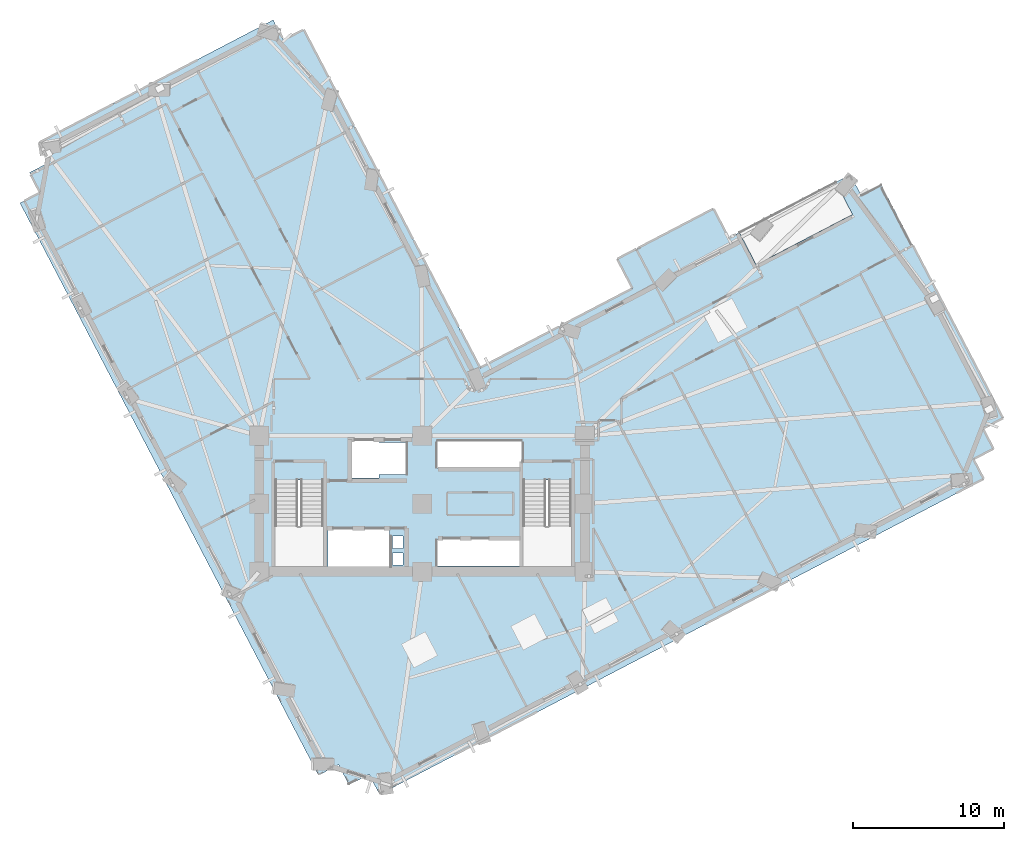
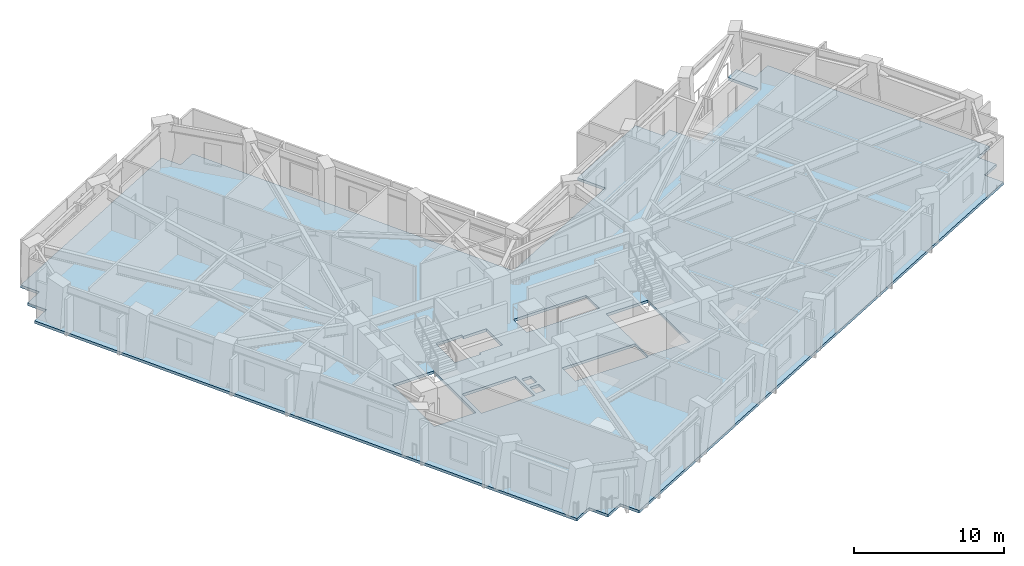
# One storey, part 4 of 16: 1 slab.
"""IFC4 building model written with IfcOpenShell, lengths in metres."""

import ifcopenshell
import ifcopenshell.guid

model = None  # the IFC model being written
_history = None  # IfcOwnerHistory: only IFC2X3 demands one
_inside = {}  # id of a spatial element -> (the spatial element, [elements in it])
_under = {}  # id of a project, library or spatial element -> (it, [spatial elements below it])
_declared = {}  # id of a project -> (the project, [libraries it declares])
_typed = {}  # id of a type object -> (the type object, [elements of that type])
_made_of = {}  # id of a material, layer set ... -> (it, [elements and type objects made of it])


def new_model(schema):
    """Start an empty IFC model of exactly this schema.

    Asked for "IFC4X3", IfcOpenShell would pick the latest addendum, in which some entities
    have other attributes; the version numbers below select the first issue.
    IFC2X3 requires an IfcOwnerHistory on every rooted entity: one is made here for all.
    """
    global model, _history
    if schema == "IFC4X3":
        model = ifcopenshell.file(schema_version=(4, 3, 0, 0))
    else:
        model = ifcopenshell.file(schema=schema)
    _inside.clear()
    _under.clear()
    _declared.clear()
    _typed.clear()
    _made_of.clear()
    _history = None
    if model.schema == "IFC2X3":
        org = make("IfcOrganization", Name="unknown")
        user = make(
            "IfcPersonAndOrganization",
            ThePerson=make("IfcPerson", FamilyName="unknown"),
            TheOrganization=org,
        )
        app = make(
            "IfcApplication",
            ApplicationDeveloper=org,
            Version="unknown",
            ApplicationFullName="unknown",
            ApplicationIdentifier="unknown",
        )
        _history = make(
            "IfcOwnerHistory",
            OwningUser=user,
            OwningApplication=app,
            ChangeAction="ADDED",
            CreationDate=0,
        )
    return model


def make(cls, **values):
    """One entity of the class cls with the attributes given. An attribute that is None is left unset."""
    return model.create_entity(
        cls, **{name: value for name, value in values.items() if value is not None}
    )


def rooted(cls, **values):
    """An entity with a GlobalId (a new one), such as an element, a storey or a relation."""
    return make(cls, GlobalId=ifcopenshell.guid.new(), OwnerHistory=_history, **values)


def si_unit(unit_type, name, prefix=None):
    """IfcSIUnit, for example si_unit("LENGTHUNIT", "METRE", prefix="MILLI")."""
    return make("IfcSIUnit", UnitType=unit_type, Prefix=prefix, Name=name)


def assignment(units):
    """IfcUnitAssignment: the units of a project."""
    return None if units is None else make("IfcUnitAssignment", Units=units)


def point(xyz):
    """IfcCartesianPoint."""
    return None if xyz is None else make("IfcCartesianPoint", Coordinates=xyz)


def direction(xyz):
    """IfcDirection."""
    return None if xyz is None else make("IfcDirection", DirectionRatios=xyz)


def frame(location, z_axis=None, x_axis=None):
    """IfcAxis2Placement3D, a coordinate frame: its origin and axes. An axis left out is left unset."""
    return make(
        "IfcAxis2Placement3D",
        Location=point(location),
        Axis=direction(z_axis),
        RefDirection=direction(x_axis),
    )


def origin():
    """The frame at (0, 0, 0) with its axes left unset."""
    return frame((0.0, 0.0, 0.0))


def place(relative_to, where):
    """IfcLocalPlacement: puts the frame where relative to a parent placement (None: the world)."""
    return make(
        "IfcLocalPlacement", PlacementRelTo=relative_to, RelativePlacement=where
    )


def context(
    kind, dimensions, precision=None, world=None, true_north=None, identifier=None
):
    """IfcGeometricRepresentationContext, for example the 3D "Model" context."""
    return make(
        "IfcGeometricRepresentationContext",
        ContextIdentifier=identifier,
        ContextType=kind,
        CoordinateSpaceDimension=dimensions,
        Precision=precision,
        WorldCoordinateSystem=world,
        TrueNorth=true_north,
    )


def subcontext(parent, identifier, kind, view, scale=None):
    """IfcGeometricRepresentationSubContext, for example "Body" below "Model"."""
    return make(
        "IfcGeometricRepresentationSubContext",
        ContextIdentifier=identifier,
        ContextType=kind,
        ParentContext=parent,
        TargetScale=scale,
        TargetView=view,
    )


def project(units=None, contexts=None):
    """IfcProject with its units and contexts."""
    return rooted(
        "IfcProject",
        Name="project",
        RepresentationContexts=contexts,
        UnitsInContext=assignment(units),
    )


def spatial(cls, under=None, at=None, **own):
    """A site, building, storey or space (cls), placed at a placement, below another one or the project."""
    s = rooted(cls, ObjectPlacement=at, **own)
    if under is not None:
        _under.setdefault(under.id(), (under, []))[1].append(s)
    return s


def polyline(points):
    """IfcPolyline through the points."""
    return make("IfcPolyline", Points=[point(p) for p in points])


def outline(outer, holes=None, kind="AREA"):
    """IfcArbitraryClosedProfileDef: a profile drawn as a closed curve; with holes, ...WithVoids."""
    if holes is None:
        return make("IfcArbitraryClosedProfileDef", ProfileType=kind, OuterCurve=outer)
    return make(
        "IfcArbitraryProfileDefWithVoids",
        ProfileType=kind,
        OuterCurve=outer,
        InnerCurves=holes,
    )


def extrude(swept, where, along, depth):
    """IfcExtrudedAreaSolid: the profile swept, set in the frame where, extruded along a direction by depth."""
    return make(
        "IfcExtrudedAreaSolid",
        SweptArea=swept,
        Position=where,
        ExtrudedDirection=direction(along),
        Depth=depth,
    )


def shape(context_of_items, identifier, shape_type, items):
    """IfcShapeRepresentation: the items that make up one representation, for example the "Body"."""
    return make(
        "IfcShapeRepresentation",
        ContextOfItems=context_of_items,
        RepresentationIdentifier=identifier,
        RepresentationType=shape_type,
        Items=items,
    )


def material(Name=None, Category=None):
    """IfcMaterial."""
    return make("IfcMaterial", Name=Name, Category=Category)


def layer(
    of_material, thickness, ventilated=None, Name=None, Category=None, Priority=None
):
    """IfcMaterialLayer: one layer of a wall or slab, of a material (None: an air gap)."""
    return make(
        "IfcMaterialLayer",
        Material=of_material,
        LayerThickness=thickness,
        IsVentilated=ventilated,
        Name=Name,
        Category=Category,
        Priority=Priority,
    )


def layer_set(layers, Name=None):
    """IfcMaterialLayerSet."""
    return make("IfcMaterialLayerSet", MaterialLayers=layers, LayerSetName=Name)


def made_of(thing, what):
    """Note that an element or type object is made of a material, layer set ...; save() writes the relation."""
    if what is not None:
        _made_of.setdefault(what.id(), (what, []))[1].append(thing)
    return thing


def type_object(cls, material=None, **own):
    """A type object (cls), such as IfcWallType, which elements share."""
    return made_of(rooted(cls, **own), material)


def element(
    cls,
    number,
    at=None,
    inside=None,
    cuts=None,
    type_object=None,
    material=None,
    context=None,
    identifier="Body",
    shape_type=None,
    held_by="IfcProductDefinitionShape",
    body=None,
    shapes=None,
    **own,
):
    """One element of the class cls, such as IfcWall. Its Tag is "e" and its number.

    at: its placement. inside: the storey or other place that contains it. cuts: it is an
    opening in that element (IfcRelVoidsElement). A single representation is given by context,
    identifier, shape_type and body (its items); several are given by shapes. held_by: the class
    of the entity that holds the representations. save() writes the other relations.
    """
    e = rooted(cls, Tag="e%d" % number, ObjectPlacement=at, **own)
    if body is not None:
        shapes = [shape(context, identifier, shape_type, body)]
    if shapes is not None:
        e.Representation = make(held_by, Representations=shapes)
    if inside is not None:
        _inside.setdefault(inside.id(), (inside, []))[1].append(e)
    if cuts is not None:
        rooted(
            "IfcRelVoidsElement", RelatingBuildingElement=cuts, RelatedOpeningElement=e
        )
    if type_object is not None:
        _typed.setdefault(type_object.id(), (type_object, []))[1].append(e)
    return made_of(e, material)


def aggregate(whole, parts):
    """IfcRelAggregates: a whole, such as a stair, and the parts it consists of."""
    return rooted("IfcRelAggregates", RelatingObject=whole, RelatedObjects=parts)


def save(model, path):
    """Write the relations noted so far, then the file.

    IfcRelAggregates (storeys below a building ...), IfcRelContainedInSpatialStructure (elements
    in a storey), IfcRelDefinesByType, IfcRelAssociatesMaterial and IfcRelDeclares: one each for
    every whole, place, type object, material and project.
    """
    for whole, parts in _under.values():
        aggregate(whole, parts)
    for where, things in _inside.values():
        rooted(
            "IfcRelContainedInSpatialStructure",
            RelatedElements=things,
            RelatingStructure=where,
        )
    for kind, things in _typed.values():
        rooted("IfcRelDefinesByType", RelatedObjects=things, RelatingType=kind)
    for what, things in _made_of.values():
        rooted("IfcRelAssociatesMaterial", RelatedObjects=things, RelatingMaterial=what)
    for by, libraries in _declared.values():
        rooted("IfcRelDeclares", RelatingContext=by, RelatedDefinitions=libraries)
    model.write(path)


model = new_model("IFC4")

# Units and contexts
model_context = context("Model", 3, precision=1e-05, world=origin(), true_north=direction((0.0, 1.0)))
body_context = subcontext(model_context, "Body", "Model", "MODEL_VIEW")
ifc_project = project(units=[si_unit("LENGTHUNIT", "METRE"), si_unit("AREAUNIT", "SQUARE_METRE"), si_unit("VOLUMEUNIT", "CUBIC_METRE"), si_unit("PLANEANGLEUNIT", "RADIAN"), si_unit("MASSUNIT", "GRAM", prefix="KILO")], contexts=[model_context])

# Site, building, storey
site_placement = place(None, origin())
site = spatial("IfcSite", under=ifc_project, at=site_placement, CompositionType="ELEMENT")
building_placement = place(site_placement, origin())
building = spatial("IfcBuilding", under=site, at=building_placement, Name="Gaonmaruhae Medical Tower", CompositionType="ELEMENT")
storey_placement = place(building_placement, frame((0.0, 0.0, 140.39990234375)))
storey = spatial("IfcBuildingStorey", under=building, at=storey_placement, Name="L33", CompositionType="ELEMENT", Elevation=140.39990234375)

# Slab
ifc_material = material(Name="Concrete C40/50", Category="concrete")
ifc_layer = layer(ifc_material, 0.219970703125)
ifc_layer_set = layer_set([ifc_layer], Name="Concrete C40/50")
slab_type = type_object("IfcSlabType", Name="FS-220 Clinical Ward Composite Floor Slab", PredefinedType="FLOOR", material=ifc_layer_set)
slab_placement = place(storey_placement, frame((0.0, 0.0, -0.219970703125)))
element("IfcSlab", 1, at=slab_placement, inside=storey, type_object=slab_type, Name="L33 Structural Slab 1", PredefinedType="FLOOR", context=body_context, shape_type="SweptSolid", body=[
    extrude(outline(polyline([(53.9033203125, 32.797607421875), (55.233154296875, 33.4912109375), (63.3271484375, 17.9755859375), (61.997314453125, 17.281982421875), (62.691162109375, 15.951904296875), (61.361083984375, 15.25830078125), (62.054931640625, 13.92822265625), (21.980224609375, -6.977783203125), (21.28662109375, -5.647705078125), (19.95654296875, -6.341552734375), (19.2626953125, -5.01171875), (17.932861328125, -5.70556640625), (-1.863037109375, 32.2412109375), (-0.533203125, 32.93505859375), (-1.226806640625, 34.264892578125), (0.10302734375, 34.958740234375), (-0.5908203125, 36.288818359375), (14.9248046875, 44.3828125), (15.61865234375, 43.052978515625), (16.948486328125, 43.74658203125), (28.650390625, 21.315673828125), (38.7578125, 26.58837890625), (37.739990234375, 28.538818359375), (44.123779296875, 31.868896484375), (45.141357421875, 29.91845703125), (45.8505859375, 30.28857421875), (46.960693359375, 28.16064453125), (53.34423828125, 31.49072265625), (52.234130859375, 33.61865234375), (53.20947265625, 34.12744140625), (53.9033203125, 32.797607421875)]), holes=[polyline([(23.550048828125, 8.25), (22.85009765625, 8.25), (22.85009765625, 9.050048828125), (23.550048828125, 9.050048828125), (23.550048828125, 8.25)]), polyline([(25.824951171875, 9.925048828125), (31.425048828125, 9.925048828125), (31.425048828125, 8.175048828125), (25.824951171875, 8.175048828125), (25.824951171875, 9.925048828125)]), polyline([(22.64990234375, 10.625), (22.64990234375, 8.074951171875), (18.550048828125, 8.074951171875), (18.550048828125, 10.625), (22.64990234375, 10.625)]), polyline([(23.550048828125, 9.35009765625), (22.85009765625, 9.35009765625), (22.85009765625, 10.14990234375), (23.550048828125, 10.14990234375), (23.550048828125, 9.35009765625)]), polyline([(15.050048828125, 13.889892578125), (18.25, 13.889892578125), (18.25, 8.300048828125), (15.050048828125, 8.300048828125), (15.050048828125, 13.889892578125)]), polyline([(31.5, 13.889892578125), (34.699951171875, 13.889892578125), (34.699951171875, 8.300048828125), (31.5, 8.300048828125), (31.5, 13.889892578125)]), polyline([(21.949951171875, 14.22509765625), (21.949951171875, 14.02490234375), (19.949951171875, 14.02490234375), (19.949951171875, 16.574951171875), (21.949951171875, 16.574951171875), (21.949951171875, 16.375), (23.72509765625, 16.375), (23.72509765625, 14.22509765625), (21.949951171875, 14.22509765625)]), polyline([(25.824951171875, 16.425048828125), (31.425048828125, 16.425048828125), (31.425048828125, 14.675048828125), (25.824951171875, 14.675048828125), (25.824951171875, 16.425048828125)])]), origin(), (0.0, 0.0, 1.0), 0.219970703125),
])

save(model, "model.ifc")
